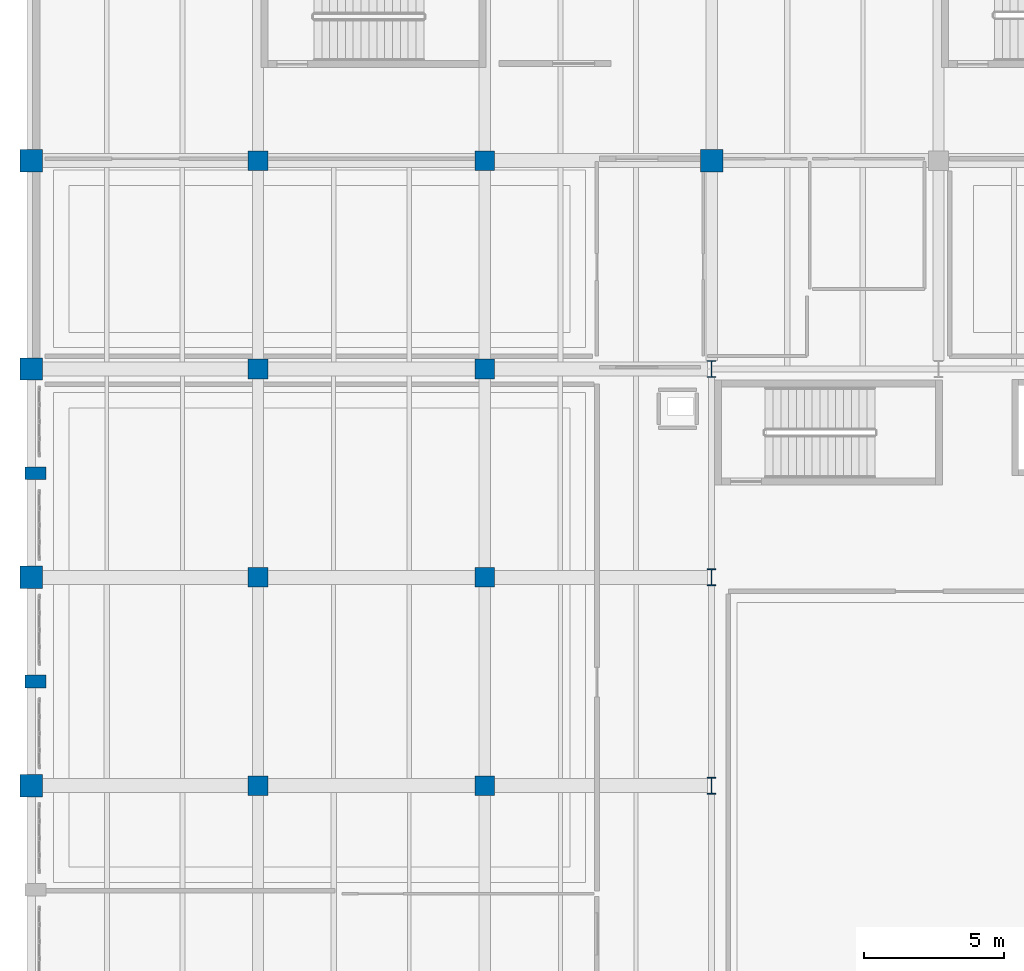
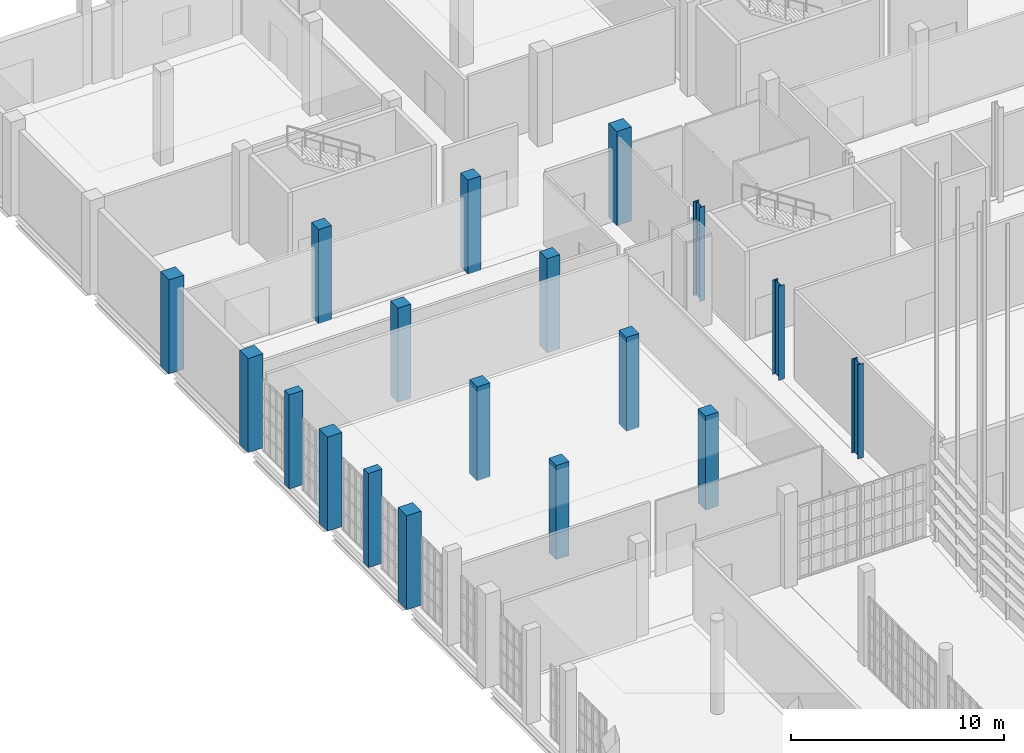
# One storey, part 7 of 372: 18 columns.
"""IFC4 building model written with IfcOpenShell, lengths in metres."""

from ifc_helpers import new_model, si_unit, direction, frame, origin, origin_2d, place, context, subcontext, project, spatial, rectangle, i_section, extrude, material, material_profile, profile_set, type_object, element, save


model = new_model("IFC4")

# Units and contexts
model_context = context("Model", 3, precision=1e-05, world=origin(), true_north=direction((0.0, 1.0)))
body_context = subcontext(model_context, "Body", "Model", "MODEL_VIEW")
ifc_project = project(units=[si_unit("LENGTHUNIT", "METRE"), si_unit("AREAUNIT", "SQUARE_METRE"), si_unit("VOLUMEUNIT", "CUBIC_METRE"), si_unit("PLANEANGLEUNIT", "RADIAN"), si_unit("MASSUNIT", "GRAM", prefix="KILO")], contexts=[model_context])

# Site, building, storey
site_placement = place(None, origin())
site = spatial("IfcSite", under=ifc_project, at=site_placement, CompositionType="ELEMENT")
building_placement = place(site_placement, origin())
building = spatial("IfcBuilding", under=site, at=building_placement, Name="Kaelora Sail Theatre", CompositionType="ELEMENT")
storey_placement = place(building_placement, origin())
storey = spatial("IfcBuildingStorey", under=building, at=storey_placement, Name="L00", CompositionType="ELEMENT", Elevation=0.0)

# Columns
ifc_material_1 = material(Name="Steel S355", Category="steel")
ifc_material_profile_1 = material_profile(ifc_material_1, i_section(OverallWidth=0.300048828125, OverallDepth=0.60009765625, WebThickness=0.015380859375, FlangeThickness=0.030029296875, FilletRadius=0.027099609375, at=origin_2d()), Name="HEB 600")
ifc_profile_set_1 = profile_set([ifc_material_profile_1], Name="Steel S355")
column_type_1 = type_object("IfcColumnType", Name="STR-COL-C-HEB600", PredefinedType="COLUMN", material=ifc_profile_set_1)
for number, where, z_axis, x_axis, name in (
    (1, (25.800048828125, 68.4599609375, 0.0), (0.0, 0.0, 1.0), (1.0, 0.0, 0.0), "Column 4/J (L00)"),
    (2, (25.800048828125, 75.89990234375, 0.0), (0.0, 0.0, 1.0), (1.0, 0.0, 0.0), "Column 4/K (L00)"),
    (3, (25.800048828125, 83.340087890625, 0.0), (0.0, 0.0, 1.0), (1.0, 0.0, 0.0), "Column 4/L (L00)"),
):
    element("IfcColumn", number, at=place(storey_placement, frame(where, z_axis=z_axis, x_axis=x_axis)), inside=storey, type_object=column_type_1, Name=name, PredefinedType="COLUMN", context=body_context, shape_type="SweptSolid", body=[
        extrude(i_section(OverallWidth=0.300048828125, OverallDepth=0.60009765625, WebThickness=0.015380859375, FlangeThickness=0.030029296875, FilletRadius=0.027099609375, at=origin_2d()), origin(), (0.0, 0.0, 1.0), 5.39990234375),
    ])
ifc_material_2 = material(Name="Concrete C45/55", Category="concrete")
ifc_material_profile_2 = material_profile(ifc_material_2, rectangle(XDim=0.699951171875, YDim=0.699951171875, at=origin_2d()), Name="RC-COL 700x700")
ifc_profile_set_2 = profile_set([ifc_material_profile_2], Name="Concrete C45/55")
column_type_2 = type_object("IfcColumnType", Name="STR-COL-C-RC700", PredefinedType="COLUMN", material=ifc_profile_set_2)
for number, where, z_axis, x_axis, name in (
    (4, (9.60009765625, 68.4599609375, 0.0), (0.0, 0.0, 1.0), (1.0, 0.0, 0.0), "Column 2/J (L00)"),
    (5, (9.60009765625, 75.89990234375, 0.0), (0.0, 0.0, 1.0), (1.0, 0.0, 0.0), "Column 2/K (L00)"),
    (6, (9.60009765625, 83.340087890625, 0.0), (0.0, 0.0, 1.0), (1.0, 0.0, 0.0), "Column 2/L (L00)"),
    (7, (9.60009765625, 90.780029296875, 0.0), (0.0, 0.0, 1.0), (1.0, 0.0, 0.0), "Column 2/M (L00)"),
    (8, (17.699951171875, 68.4599609375, 0.0), (0.0, 0.0, 1.0), (1.0, 0.0, 0.0), "Column 3/J (L00)"),
    (9, (17.699951171875, 75.89990234375, 0.0), (0.0, 0.0, 1.0), (1.0, 0.0, 0.0), "Column 3/K (L00)"),
    (10, (17.699951171875, 83.340087890625, 0.0), (0.0, 0.0, 1.0), (1.0, 0.0, 0.0), "Column 3/L (L00)"),
    (11, (17.699951171875, 90.780029296875, 0.0), (0.0, 0.0, 1.0), (1.0, 0.0, 0.0), "Column 3/M (L00)"),
):
    element("IfcColumn", number, at=place(storey_placement, frame(where, z_axis=z_axis, x_axis=x_axis)), inside=storey, type_object=column_type_2, Name=name, PredefinedType="COLUMN", context=body_context, shape_type="SweptSolid", body=[
        extrude(rectangle(XDim=0.699951171875, YDim=0.699951171875, at=origin_2d()), origin(), (0.0, 0.0, 1.0), 5.39990234375),
    ])
ifc_material_3 = material(Name="Concrete C50/60", Category="concrete")
ifc_material_profile_3 = material_profile(ifc_material_3, rectangle(XDim=0.800048828125, YDim=0.800048828125, at=origin_2d()), Name="RC-COL 800x800")
ifc_profile_set_3 = profile_set([ifc_material_profile_3], Name="Concrete C50/60")
column_type_3 = type_object("IfcColumnType", Name="STR-COL-C-RC800", PredefinedType="COLUMN", material=ifc_profile_set_3)
for number, where, z_axis, x_axis, name in (
    (12, (1.5, 68.4599609375, 0.0), (0.0, 0.0, 1.0), (1.0, 0.0, 0.0), "Column 1/J (L00)"),
    (13, (1.5, 75.89990234375, 0.0), (0.0, 0.0, 1.0), (1.0, 0.0, 0.0), "Column 1/K (L00)"),
    (14, (1.5, 83.340087890625, 0.0), (0.0, 0.0, 1.0), (1.0, 0.0, 0.0), "Column 1/L (L00)"),
    (15, (1.5, 90.780029296875, 0.0), (0.0, 0.0, 1.0), (1.0, 0.0, 0.0), "Column 1/M (L00)"),
    (16, (25.800048828125, 90.780029296875, 0.0), (0.0, 0.0, 1.0), (1.0, 0.0, 0.0), "Column 4/M (L00)"),
):
    element("IfcColumn", number, at=place(storey_placement, frame(where, z_axis=z_axis, x_axis=x_axis)), inside=storey, type_object=column_type_3, Name=name, PredefinedType="COLUMN", context=body_context, shape_type="SweptSolid", body=[
        extrude(rectangle(XDim=0.800048828125, YDim=0.800048828125, at=origin_2d()), origin(), (0.0, 0.0, 1.0), 5.39990234375),
    ])
ifc_material_4 = material(Name="Precast concrete C45/55", Category="concrete")
ifc_material_profile_4 = material_profile(ifc_material_4, rectangle(XDim=0.449951171875, YDim=0.75, at=origin_2d()), Name="RC-PIL 450x750")
ifc_profile_set_4 = profile_set([ifc_material_profile_4], Name="Precast concrete C45/55")
column_type_4 = type_object("IfcColumnType", Name="STR-COL-PL-RC4575", PredefinedType="PILASTER", material=ifc_profile_set_4)
for number, where, z_axis, x_axis, name in (
    (17, (1.64990234375, 72.179931640625, 0.0), (0.0, 0.0, 1.0), (0.0, 1.0, 0.0), "Postmodern colonnade pilaster L00 W09"),
    (18, (1.64990234375, 79.6201171875, 0.0), (0.0, 0.0, 1.0), (0.0, 1.0, 0.0), "Postmodern colonnade pilaster L00 W10"),
):
    element("IfcColumn", number, at=place(storey_placement, frame(where, z_axis=z_axis, x_axis=x_axis)), inside=storey, type_object=column_type_4, Name=name, PredefinedType="PILASTER", context=body_context, shape_type="SweptSolid", body=[
        extrude(rectangle(XDim=0.449951171875, YDim=0.75, at=origin_2d()), origin(), (0.0, 0.0, 1.0), 5.39990234375),
    ])

save(model, "model.ifc")
